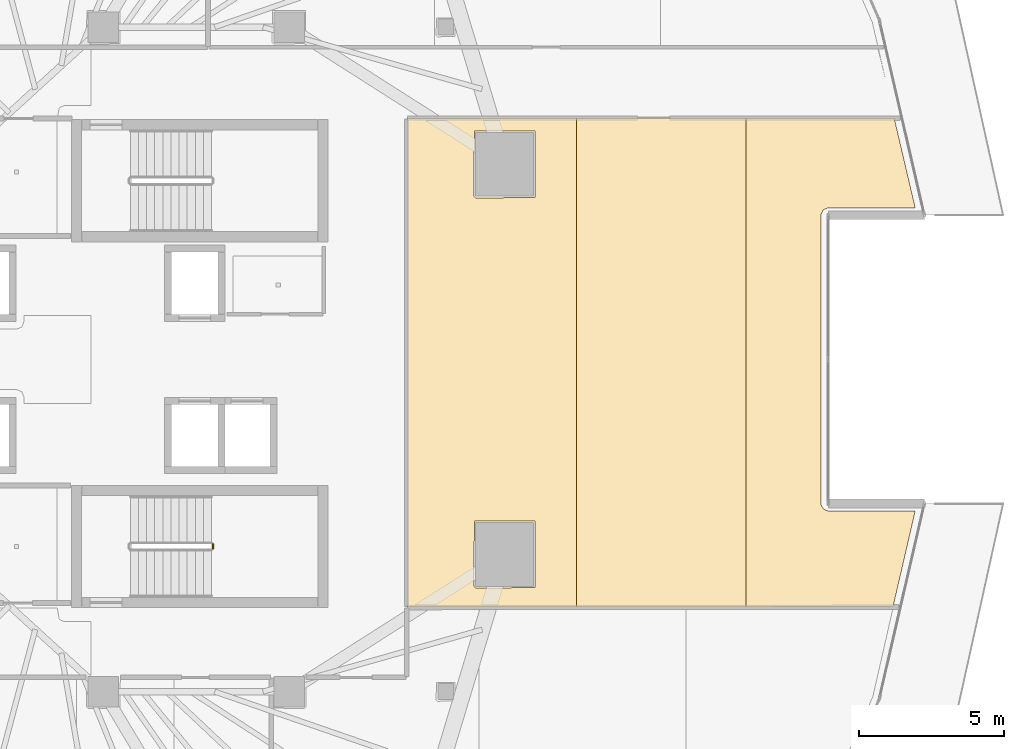
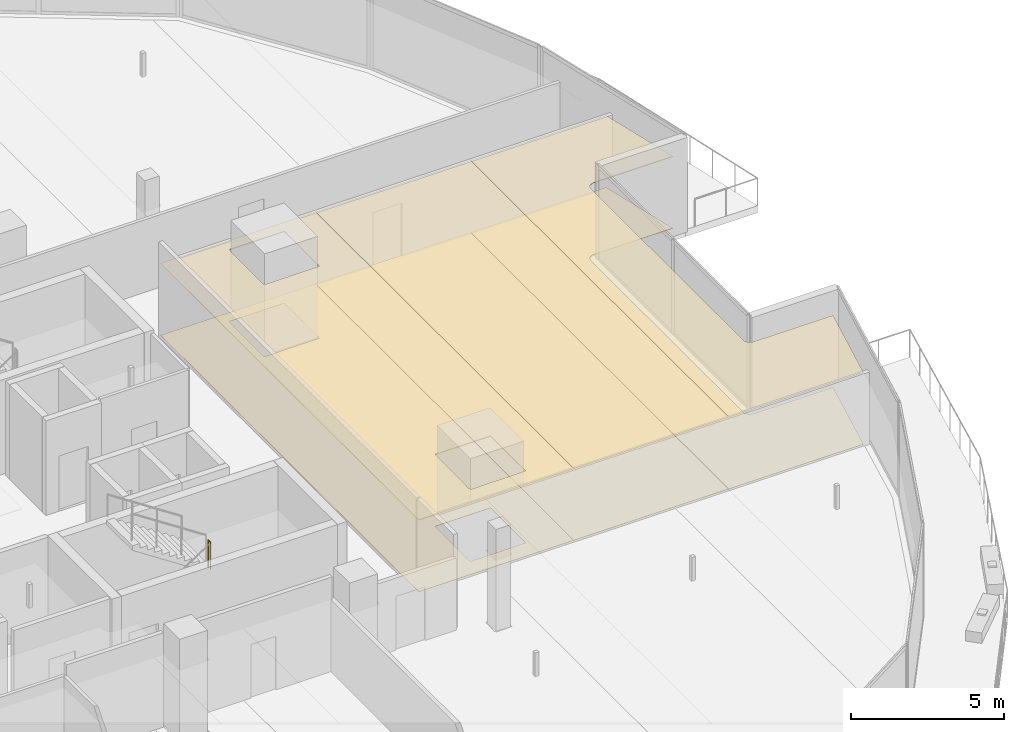
# One storey, part 42 of 45: 6 coverings, 1 railing.
"""IFC4 building model written with IfcOpenShell, lengths in metres."""

from ifc_helpers import new_model, si_unit, direction, frame, origin, origin_2d, place, context, subcontext, project, spatial, polyline, circle, outline, extrude, material, layer, layer_set, type_object, element, save


model = new_model("IFC4")

# Units and contexts
model_context = context("Model", 3, precision=1e-05, world=origin(), true_north=direction((0.0, 1.0)))
body_context = subcontext(model_context, "Body", "Model", "MODEL_VIEW")
ifc_project = project(units=[si_unit("LENGTHUNIT", "METRE"), si_unit("AREAUNIT", "SQUARE_METRE"), si_unit("VOLUMEUNIT", "CUBIC_METRE"), si_unit("PLANEANGLEUNIT", "RADIAN"), si_unit("MASSUNIT", "GRAM", prefix="KILO")], contexts=[model_context])

# Site, building, storey
site_placement = place(None, origin())
site = spatial("IfcSite", under=ifc_project, at=site_placement, CompositionType="ELEMENT")
building_placement = place(site_placement, origin())
building = spatial("IfcBuilding", under=site, at=building_placement, Name="Qorvath Tower", CompositionType="ELEMENT")
storey_placement = place(building_placement, frame((0.0, 0.0, 126.0)))
storey = spatial("IfcBuildingStorey", under=building, at=storey_placement, Name="L28", CompositionType="ELEMENT", Elevation=126.0)

# Coverings
ifc_material_1 = material(Name="Acoustic mineral fibre ceiling tile", Category="gypsum")
ifc_layer_1 = layer(ifc_material_1, 0.030029296875)
ifc_layer_set_1 = layer_set([ifc_layer_1], Name="COV-CEIL")
covering_type_1 = type_object("IfcCoveringType", Name="COV-CEIL", PredefinedType="CEILING", material=ifc_layer_set_1)
covering_1_placement = place(storey_placement, frame((0.0, 0.0, 2.85009765625)))
element("IfcCovering", 1, at=covering_1_placement, inside=storey, type_object=covering_type_1, Name="L28 Suspended Acoustic Ceiling 025", PredefinedType="CEILING", context=body_context, shape_type="SweptSolid", body=[
    extrude(outline(polyline([(-7.298583984375, -8.53173828125), (-7.298583984375, 8.312744140625), (-13.136962890625, 8.306884765625), (-13.136962890625, -8.537109375), (-7.298583984375, -8.53173828125)]), holes=[polyline([(-10.830322265625, -7.8212890625), (-10.812744140625, -5.578857421875), (-8.727783203125, -5.578857421875), (-8.727783203125, -7.86376953125), (-10.770263671875, -7.88134765625), (-10.830322265625, -7.8212890625)]), polyline([(-10.830322265625, 5.621337890625), (-10.812744140625, 7.86376953125), (-8.727783203125, 7.86376953125), (-8.727783203125, 5.578857421875), (-10.770263671875, 5.561279296875), (-10.830322265625, 5.621337890625)])]), origin(), (0.0, 0.0, 1.0), 0.030029296875),
])
covering_2_placement = place(storey_placement, frame((0.0, 0.0, 2.85009765625)))
element("IfcCovering", 2, at=covering_2_placement, inside=storey, type_object=covering_type_1, Name="L28 Suspended Acoustic Ceiling 026", PredefinedType="CEILING", context=body_context, shape_type="SweptSolid", body=[
    extrude(outline(polyline([(-1.460205078125, -8.5263671875), (-1.460205078125, 8.318359375), (-7.298583984375, 8.312744140625), (-7.298583984375, -8.53173828125), (-1.460205078125, -8.5263671875)])), origin(), (0.0, 0.0, 1.0), 0.030029296875),
])
covering_3_placement = place(storey_placement, frame((0.0, 0.0, 2.85009765625)))
element("IfcCovering", 3, at=covering_3_placement, inside=storey, type_object=covering_type_1, Name="L28 Suspended Acoustic Ceiling 027", PredefinedType="CEILING", context=body_context, shape_type="SweptSolid", body=[
    extrude(outline(polyline([(1.2080078125, 5.1494140625), (1.3623046875, 5.2216796875), (4.378173828125, 5.222900390625), (3.6533203125, 8.3232421875), (-1.460205078125, 8.318359375), (-1.460205078125, -8.5263671875), (3.615478515625, -8.521728515625), (4.378173828125, -5.222900390625), (1.3623046875, -5.2216796875), (1.22412109375, -5.163818359375), (1.13671875, -5.016845703125), (1.133056640625, 4.992431640625), (1.2080078125, 5.1494140625)])), origin(), (0.0, 0.0, 1.0), 0.030029296875),
])
ifc_material_2 = material(Name="Low-VOC modular carpet tile", Category="textile")
ifc_layer_2 = layer(ifc_material_2, 0.014892578125)
ifc_layer_set_2 = layer_set([ifc_layer_2], Name="COV-FLOOR-CPT")
covering_type_2 = type_object("IfcCoveringType", Name="COV-FLOOR-CPT", PredefinedType="FLOORING", material=ifc_layer_set_2)
covering_4_placement = place(storey_placement, origin())
element("IfcCovering", 4, at=covering_4_placement, inside=storey, type_object=covering_type_2, Name="L28 Floor Finish 025", PredefinedType="FLOORING", context=body_context, shape_type="SweptSolid", body=[
    extrude(outline(polyline([(-7.298583984375, -8.53173828125), (-7.298583984375, 8.312744140625), (-13.136962890625, 8.306884765625), (-13.136962890625, -8.537109375), (-7.298583984375, -8.53173828125)]), holes=[polyline([(-10.830322265625, -7.8212890625), (-10.812744140625, -5.578857421875), (-8.727783203125, -5.578857421875), (-8.727783203125, -7.86376953125), (-10.770263671875, -7.88134765625), (-10.830322265625, -7.8212890625)]), polyline([(-10.830322265625, 5.621337890625), (-10.812744140625, 7.86376953125), (-8.727783203125, 7.86376953125), (-8.727783203125, 5.578857421875), (-10.770263671875, 5.561279296875), (-10.830322265625, 5.621337890625)])]), origin(), (0.0, 0.0, 1.0), 0.014892578125),
])
covering_5_placement = place(storey_placement, origin())
element("IfcCovering", 5, at=covering_5_placement, inside=storey, type_object=covering_type_2, Name="L28 Floor Finish 026", PredefinedType="FLOORING", context=body_context, shape_type="SweptSolid", body=[
    extrude(outline(polyline([(-1.460205078125, -8.5263671875), (-1.460205078125, 8.318359375), (-7.298583984375, 8.312744140625), (-7.298583984375, -8.53173828125), (-1.460205078125, -8.5263671875)])), origin(), (0.0, 0.0, 1.0), 0.014892578125),
])
covering_6_placement = place(storey_placement, origin())
element("IfcCovering", 6, at=covering_6_placement, inside=storey, type_object=covering_type_2, Name="L28 Floor Finish 027", PredefinedType="FLOORING", context=body_context, shape_type="SweptSolid", body=[
    extrude(outline(polyline([(1.2080078125, 5.1494140625), (1.3623046875, 5.2216796875), (4.378173828125, 5.222900390625), (3.6533203125, 8.3232421875), (-1.460205078125, 8.318359375), (-1.460205078125, -8.5263671875), (3.615478515625, -8.521728515625), (4.378173828125, -5.222900390625), (1.3623046875, -5.2216796875), (1.22412109375, -5.163818359375), (1.13671875, -5.016845703125), (1.133056640625, 4.992431640625), (1.2080078125, 5.1494140625)])), origin(), (0.0, 0.0, 1.0), 0.014892578125),
])

# Railing
ifc_material_3 = material(Name="Painted galvanised steel", Category="steel")
railing_type = type_object("IfcRailingType", Name="RL-STR-GRD", PredefinedType="GUARDRAIL", material=ifc_material_3)
railing_placement = place(storey_placement, frame((-19.820068359375, -6.52001953125, 2.02490234375)))
element("IfcRailing", 7, at=railing_placement, inside=storey, type_object=railing_type, Name="L28 TS2 stair guard 2", PredefinedType="GUARDRAIL", context=body_context, shape_type="SweptSolid", body=[
    extrude(circle(Radius=0.02392578125, at=origin_2d()), frame((0.0, 0.0, 1.076171875), z_axis=(0.0, 1.0, 0.0), x_axis=(-1.0, 0.0, 0.0)), (0.0, 0.0, 1.0), 0.14990234375),
    extrude(circle(Radius=0.02099609375, at=origin_2d()), origin(), (0.0, 0.0, 1.0), 1.052001953125),
    extrude(circle(Radius=0.02099609375, at=origin_2d()), frame((0.0, 0.14990234375, 0.0)), (0.0, 0.0, 1.0), 1.052001953125),
])

save(model, "model.ifc")
